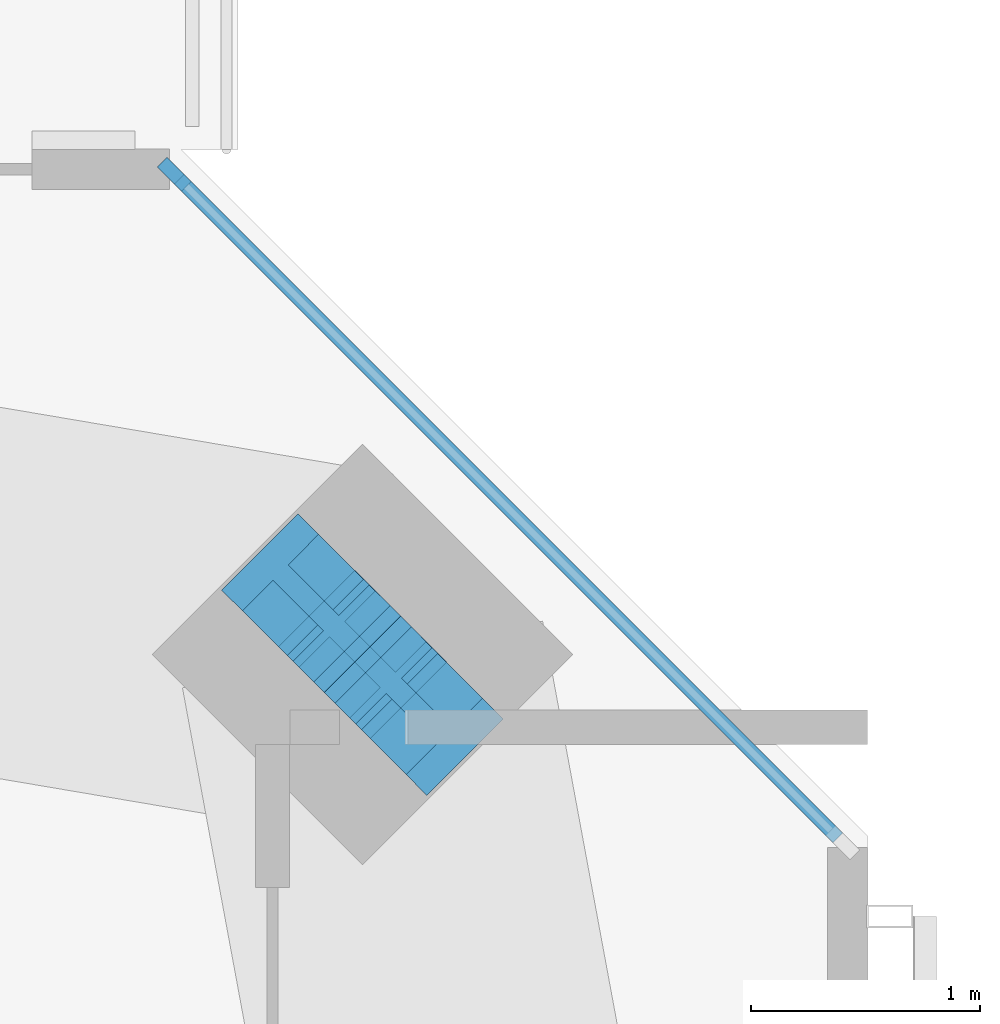
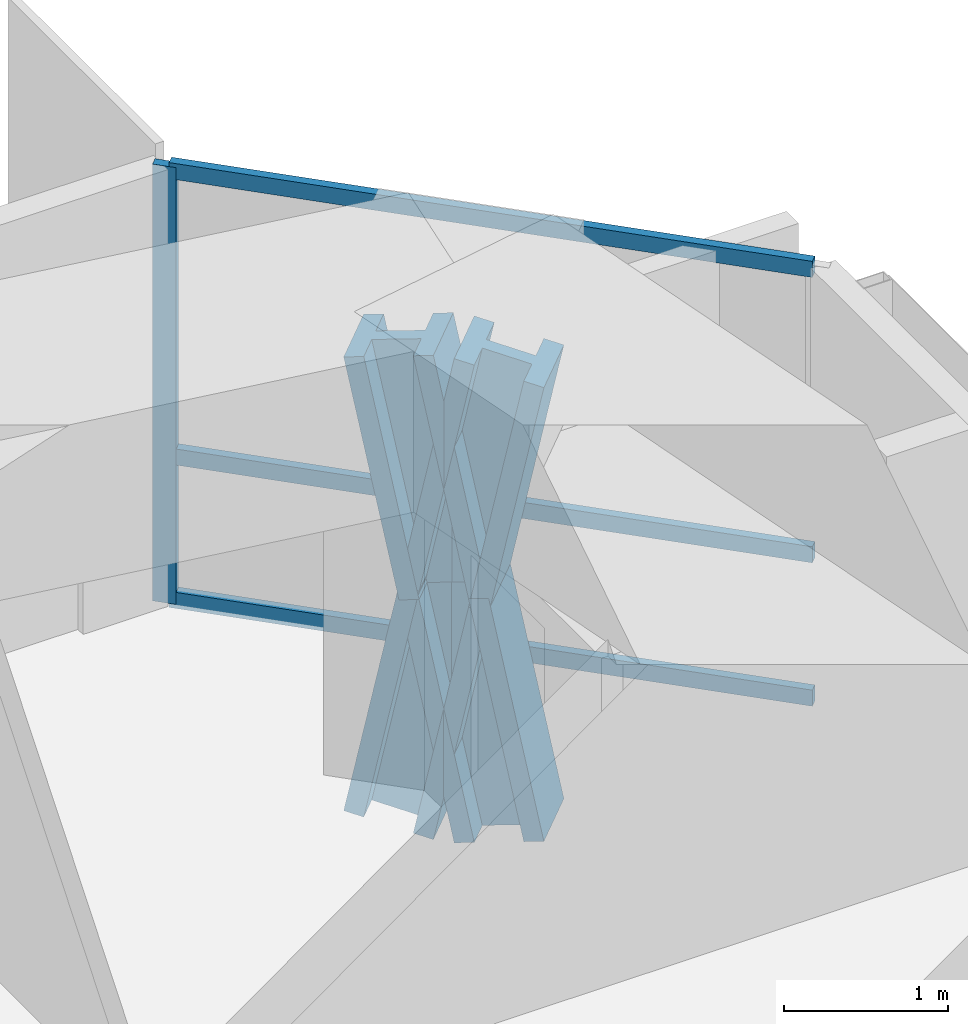
# One storey, part 11 of 18: 8 members, 1 element without a shape of its own.
"""IFC4 building model written with IfcOpenShell, lengths in metres."""

from ifc_helpers import new_model, si_unit, direction, frame, origin, origin_2d, place, context, subcontext, project, spatial, rectangle, i_section, extrude, material, material_profile, profile_set, type_object, element, aggregate, save


model = new_model("IFC4")

# Units and contexts
model_context = context("Model", 3, precision=1e-05, world=origin(), true_north=direction((0.0, 1.0)))
body_context = subcontext(model_context, "Body", "Model", "MODEL_VIEW")
ifc_project = project(units=[si_unit("LENGTHUNIT", "METRE"), si_unit("AREAUNIT", "SQUARE_METRE"), si_unit("VOLUMEUNIT", "CUBIC_METRE"), si_unit("PLANEANGLEUNIT", "RADIAN"), si_unit("MASSUNIT", "GRAM", prefix="KILO")], contexts=[model_context])

# Site, building, storey
site_placement = place(None, origin())
site = spatial("IfcSite", under=ifc_project, at=site_placement, CompositionType="ELEMENT")
building_placement = place(site_placement, origin())
building = spatial("IfcBuilding", under=site, at=building_placement, Name="Jalousie Tower", CompositionType="ELEMENT")
storey_placement = place(building_placement, frame((0.0, 0.0, 256.449951171875)))
storey = spatial("IfcBuildingStorey", under=building, at=storey_placement, Name="L70", CompositionType="ELEMENT", Elevation=256.449951171875)

# Curtain wall, members
ifc_material_1 = material(Name="Aluminium curtain wall", Category="aluminium")
curtain_wall_type = type_object("IfcCurtainWallType", Name="CORNER WINDOW WALL", PredefinedType="USERDEFINED", material=ifc_material_1)
curtain_wall_placement = place(storey_placement, origin())
curtain_wall = element("IfcCurtainWall", 1, at=curtain_wall_placement, inside=storey, type_object=curtain_wall_type, Name="Corner Window Wall L70 4", ObjectType="CORNER WINDOW WALL", PredefinedType="USERDEFINED")
ifc_material_2 = material(Name="Aluminium mullion", Category="aluminium")
ifc_material_profile_1 = material_profile(ifc_material_2, rectangle(XDim=0.06005859375, YDim=0.14990234375, at=origin_2d()), Name="MULLION 60x150")
ifc_profile_set_1 = profile_set([ifc_material_profile_1], Name="Aluminium mullion")
member_type_1 = type_object("IfcMemberType", Name="CORNER WINDOW WALL MULLION", PredefinedType="MULLION", material=ifc_profile_set_1)
member_1_placement = place(storey_placement, frame((53.469970703125, 33.891357421875, 0.0), z_axis=(0.0, 0.0, 1.0), x_axis=(-0.707106781187, -0.707106781187, 0.0)))
member_1 = element("IfcMember", 2, at=member_1_placement, type_object=member_type_1, Name="CW-C mullion 2", PredefinedType="MULLION", context=body_context, shape_type="SweptSolid", body=[
    extrude(rectangle(XDim=0.06005859375, YDim=0.14990234375, at=origin_2d()), origin(), (0.0, 0.0, 1.0), 3.260009765625),
])
ifc_material_3 = material(Name="Aluminium transom", Category="aluminium")
ifc_material_profile_2 = material_profile(ifc_material_3, rectangle(XDim=0.06005859375, YDim=0.1201171875, at=origin_2d()), Name="TRANSOM 60x120")
ifc_profile_set_2 = profile_set([ifc_material_profile_2], Name="Aluminium transom")
member_type_2 = type_object("IfcMemberType", Name="CORNER WINDOW WALL TRANSOM", PredefinedType="USERDEFINED", material=ifc_profile_set_2)
member_2_placement = place(storey_placement, frame((56.3701171875, 30.9912109375, 0.030029296875), z_axis=(-0.707106781187, 0.707106781187, 0.0), x_axis=(-0.707106781187, -0.707106781187, 0.0)))
member_2 = element("IfcMember", 3, at=member_2_placement, type_object=member_type_2, Name="CW-C transom 1.1", ObjectType="TRANSOM", PredefinedType="USERDEFINED", context=body_context, shape_type="SweptSolid", body=[
    extrude(rectangle(XDim=0.06005859375, YDim=0.1201171875, at=origin_2d()), origin(), (0.0, 0.0, 1.0), 4.0712890625),
])
member_3_placement = place(storey_placement, frame((56.3701171875, 30.9912109375, 1.10009765625), z_axis=(-0.707106781187, 0.707106781187, 0.0), x_axis=(-0.707106781187, -0.707106781187, 0.0)))
member_3 = element("IfcMember", 4, at=member_3_placement, type_object=member_type_2, Name="CW-C transom 1.2", ObjectType="TRANSOM", PredefinedType="USERDEFINED", context=body_context, shape_type="SweptSolid", body=[
    extrude(rectangle(XDim=0.06005859375, YDim=0.1201171875, at=origin_2d()), origin(), (0.0, 0.0, 1.0), 4.0712890625),
])
member_4_placement = place(storey_placement, frame((56.3701171875, 30.9912109375, 3.22998046875), z_axis=(-0.707106781187, 0.707106781187, 0.0), x_axis=(-0.707106781187, -0.707106781187, 0.0)))
member_4 = element("IfcMember", 5, at=member_4_placement, type_object=member_type_2, Name="CW-C transom 1.3", ObjectType="TRANSOM", PredefinedType="USERDEFINED", context=body_context, shape_type="SweptSolid", body=[
    extrude(rectangle(XDim=0.06005859375, YDim=0.1201171875, at=origin_2d()), origin(), (0.0, 0.0, 1.0), 4.0712890625),
])
aggregate(curtain_wall, [member_1, member_2, member_3, member_4])

# Members
ifc_material_4 = material(Name="Steel ASTM A992 Grade 50", Category="steel")
ifc_material_profile_3 = material_profile(ifc_material_4, i_section(OverallWidth=0.472412109375, OverallDepth=0.5791015625, WebThickness=0.094970703125, FlangeThickness=0.1298828125, at=origin_2d()), Name="W14X808")
ifc_profile_set_3 = profile_set([ifc_material_profile_3], Name="Steel ASTM A992 Grade 50")
member_type_3 = type_object("IfcMemberType", Name="PERIMETER BRACE W14X808", PredefinedType="BRACE", material=ifc_profile_set_3)
for number, where, z_axis, x_axis, name in (
    (6, (54.540283203125, 31.54541015625, -0.599853515625), (-0.138579250682, 0.138716051522, 0.980588419435), (-0.707455539091, -0.706757851183, 0.0), "Perimeter brace 08 L70 part 1"),
    (7, (54.29296875, 31.79296875, 1.150146484375), (-0.138716051522, 0.138579250682, 0.980588419435), (-0.706757851183, -0.707455539091, 0.0), "Perimeter brace 08 L70 part 2"),
    (8, (54.04541015625, 32.040283203125, -0.599853515625), (0.138716051522, -0.138579250682, 0.980588419435), (0.706757851183, 0.707455539091, 0.0), "Perimeter brace 08 L70 part 3"),
    (9, (54.29296875, 31.79296875, 1.150146484375), (0.138579250682, -0.138716051522, 0.980588419435), (0.707455539091, 0.706757851183, 0.0), "Perimeter brace 08 L70 part 4"),
):
    element("IfcMember", number, at=place(storey_placement, frame(where, z_axis=z_axis, x_axis=x_axis)), inside=storey, type_object=member_type_3, Name=name, PredefinedType="BRACE", context=body_context, shape_type="SweptSolid", body=[
        extrude(i_section(OverallWidth=0.472412109375, OverallDepth=0.5791015625, WebThickness=0.094970703125, FlangeThickness=0.1298828125, at=origin_2d()), origin(), (0.0, 0.0, 1.0), 1.78466796875),
    ])

save(model, "model.ifc")
